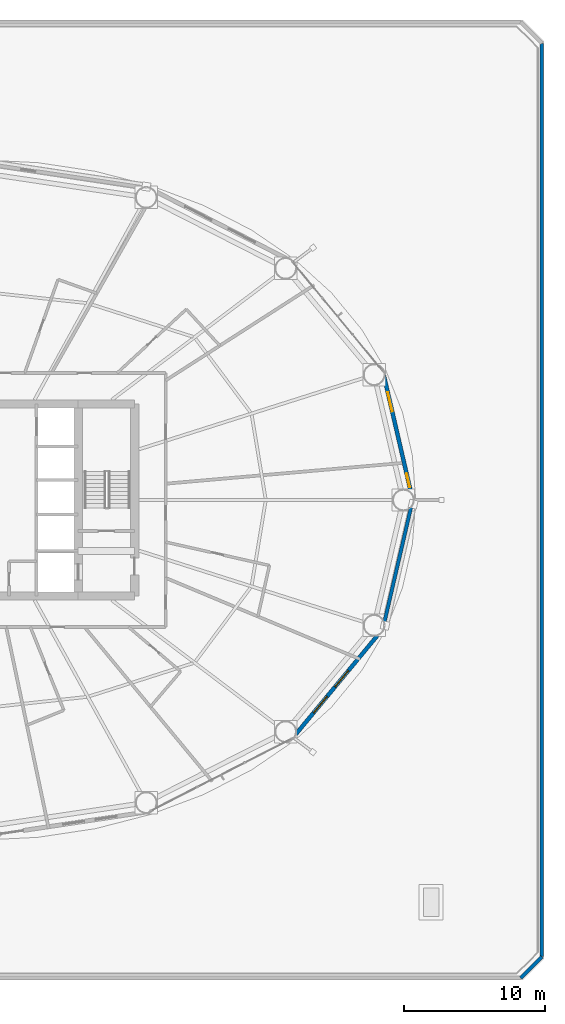
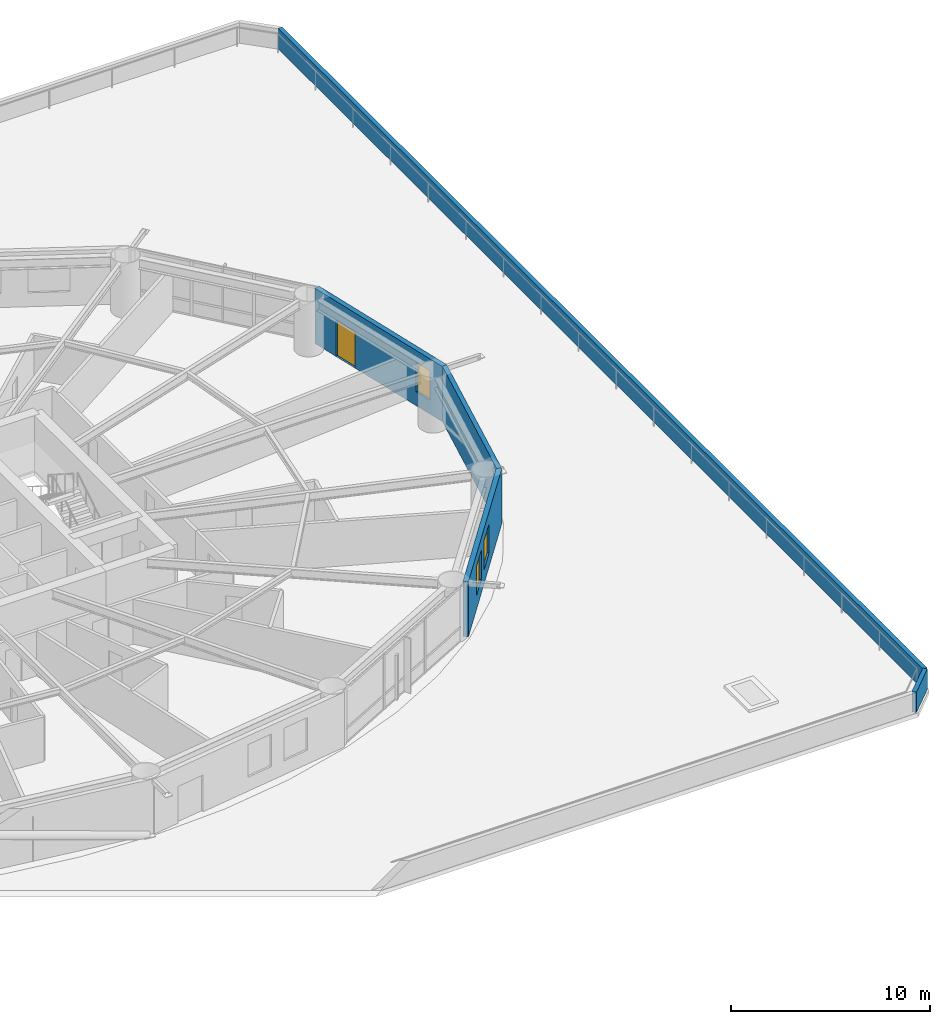
# One storey, part 26 of 30: 5 walls, 3 windows, 1 door, 4 openings.
"""IFC4 building model written with IfcOpenShell, lengths in metres."""

from ifc_helpers import new_model, si_unit, direction, frame, frame_2d, origin, place, context, subcontext, project, spatial, rectangle, extrude, material, layer, layer_set, type_object, element, fill, save


model = new_model("IFC4")

# Units and contexts
model_context = context("Model", 3, precision=1e-05, world=origin(), true_north=direction((0.0, 1.0)))
body_context = subcontext(model_context, "Body", "Model", "MODEL_VIEW")
ifc_project = project(units=[si_unit("LENGTHUNIT", "METRE"), si_unit("AREAUNIT", "SQUARE_METRE"), si_unit("VOLUMEUNIT", "CUBIC_METRE"), si_unit("PLANEANGLEUNIT", "RADIAN"), si_unit("MASSUNIT", "GRAM", prefix="KILO")], contexts=[model_context])

# Site, building, storey
site_placement = place(None, origin())
site = spatial("IfcSite", under=ifc_project, at=site_placement, CompositionType="ELEMENT")
building_placement = place(site_placement, origin())
building = spatial("IfcBuilding", under=site, at=building_placement, Name="Sarneth Arch Tower", CompositionType="ELEMENT")
storey_placement = place(building_placement, frame((0.0, 0.0, 28.199951171875)))
storey = spatial("IfcBuildingStorey", under=building, at=storey_placement, Name="L05", CompositionType="ELEMENT", Elevation=28.199951171875)

# Wall
ifc_material_1 = material(Name="Extruded terracotta rainscreen on Concrete C40/50 backing", Category="masonry")
ifc_layer_1 = layer(ifc_material_1, 0.25)
ifc_layer_set_1 = layer_set([ifc_layer_1], Name="Extruded terracotta rainscreen on Concrete C40/50 backing")
wall_type_1 = type_object("IfcWallType", Name="WALL-EXT-SPAND-250", PredefinedType="SOLIDWALL", material=ifc_layer_set_1)
wall_1_placement = place(storey_placement, frame((76.5810546875, 32.861572265625, 0.0), z_axis=(0.0, 0.0, 1.0), x_axis=(0.225454452941, 0.974253709076, 0.0)))
element("IfcWall", 1, at=wall_1_placement, inside=storey, type_object=wall_type_1, Name="L05 Terracotta perimeter wall 16", PredefinedType="SOLIDWALL", context=body_context, shape_type="SweptSolid", body=[
    extrude(rectangle(XDim=9.3798828125, YDim=0.25, at=frame_2d((4.68994140625, 0.0))), origin(), (0.0, 0.0, 1.0), 3.380126953125),
])

# Wall, openings, door, window
ifc_material_2 = material(Name="Extruded terracotta rainscreen on Concrete C40/50 backing", Category="masonry")
ifc_layer_2 = layer(ifc_material_2, 0.280029296875)
ifc_layer_set_2 = layer_set([ifc_layer_2], Name="Extruded terracotta rainscreen on Concrete C40/50 backing")
wall_type_2 = type_object("IfcWallType", Name="WALL-EXT-TERRA-280", PredefinedType="SOLIDWALL", material=ifc_layer_set_2)
wall_2_placement = place(storey_placement, frame((78.69580078125, 42.0, 0.0), z_axis=(0.0, 0.0, 1.0), x_axis=(-0.225454452941, 0.974253709076, 0.0)))
wall_2 = element("IfcWall", 2, at=wall_2_placement, inside=storey, type_object=wall_type_2, Name="L05 Terracotta perimeter wall 01", PredefinedType="SOLIDWALL", context=body_context, shape_type="SweptSolid", body=[
    extrude(rectangle(XDim=9.3798828125, YDim=0.280029296875, at=frame_2d((4.68994140625, 0.0))), origin(), (0.0, 0.0, 1.0), 3.380126953125),
])
opening_1_placement = place(wall_2_placement, frame((6.435302734375, 0.0, 0.0)))
opening_1 = element("IfcOpeningElement", 3, at=opening_1_placement, cuts=wall_2, Name="Opening BD-2", PredefinedType="OPENING", context=body_context, shape_type="SweptSolid", body=[
    extrude(rectangle(XDim=1.39990234375, YDim=2.199951171875, at=frame_2d((0.699951171875, 1.10009765625))), frame((0.0, 0.14990234375, 0.0), z_axis=(0.0, -1.0, 0.0), x_axis=(1.0, 0.0, 0.0)), (0.0, 0.0, 1.0), 0.300048828125),
])
opening_2_placement = place(wall_2_placement, frame((0.928955078125, 0.0, 0.85009765625)))
opening_2 = element("IfcOpeningElement", 4, at=opening_2_placement, cuts=wall_2, Name="Opening W-11", PredefinedType="OPENING", context=body_context, shape_type="SweptSolid", body=[
    extrude(rectangle(XDim=1.0, YDim=1.800048828125, at=frame_2d((0.5, 0.89990234375))), frame((0.0, 0.14990234375, 0.0), z_axis=(0.0, -1.0, 0.0), x_axis=(1.0, 0.0, 0.0)), (0.0, 0.0, 1.0), 0.300048828125),
])
ifc_material_3 = material(Name="Thermally broken Aluminium 6063-T6 and laminated safety glass", Category="aluminium")
door_type = type_object("IfcDoorType", Name="DR-BALC-GLZ-1400", OperationType="SINGLE_SWING_LEFT", PredefinedType="DOOR", material=ifc_material_3)
door_placement = place(opening_1_placement, origin())
door = element("IfcDoor", 5, at=door_placement, inside=storey, type_object=door_type, Name="L05 Maintenance roof access door 01", OperationType="SINGLE_SWING_LEFT", OverallHeight=2.199951171875, OverallWidth=1.39990234375, PredefinedType="DOOR", context=body_context, shape_type="SweptSolid", body=[
    extrude(rectangle(XDim=1.39990234375, YDim=2.199951171875, at=frame_2d((0.699951171875, 1.10009765625))), frame((0.0, 0.02490234375, 0.0), z_axis=(0.0, -1.0, 0.0), x_axis=(1.0, 0.0, 0.0)), (0.0, 0.0, 1.0), 0.050048828125),
])
fill(opening_1, door)
ifc_material_4 = material(Name="Thermally broken Aluminium 6063-T6 and low-e laminated IGU", Category="aluminium")
window_type_1 = type_object("IfcWindowType", Name="WIN-TWR-1000x1800", PartitioningType="SINGLE_PANEL", PredefinedType="WINDOW", material=ifc_material_4)
window_1_placement = place(opening_2_placement, origin())
window_1 = element("IfcWindow", 6, at=window_1_placement, inside=storey, type_object=window_type_1, Name="L05 Dwelling bedroom window 02", OverallHeight=1.800048828125, OverallWidth=1.0, PartitioningType="SINGLE_PANEL", PredefinedType="WINDOW", context=body_context, shape_type="SweptSolid", body=[
    extrude(rectangle(XDim=1.0, YDim=1.800048828125, at=frame_2d((0.5, 0.89990234375))), frame((0.0, 0.030029296875, 0.0), z_axis=(0.0, -1.0, 0.0), x_axis=(1.0, 0.0, 0.0)), (0.0, 0.0, 1.0), 0.06005859375),
])
fill(opening_2, window_1)

# Wall, openings, windows
wall_3_placement = place(storey_placement, frame((70.174072265625, 25.1142578125, 0.0), z_axis=(0.0, 0.0, 1.0), x_axis=(0.637296809613, 0.770618437657, 0.0)))
wall_3 = element("IfcWall", 7, at=wall_3_placement, inside=storey, type_object=wall_type_2, Name="L05 Terracotta perimeter wall 15", PredefinedType="SOLIDWALL", context=body_context, shape_type="SweptSolid", body=[
    extrude(rectangle(XDim=10.053466796875, YDim=0.280029296875, at=frame_2d((5.02685546875, 0.0))), origin(), (0.0, 0.0, 1.0), 3.380126953125),
])
opening_3_placement = place(wall_3_placement, frame((2.352783203125, 0.0, 0.85009765625)))
opening_3 = element("IfcOpeningElement", 8, at=opening_3_placement, cuts=wall_3, Name="Opening W-07", PredefinedType="OPENING", context=body_context, shape_type="SweptSolid", body=[
    extrude(rectangle(XDim=1.5, YDim=1.800048828125, at=frame_2d((0.75, 0.89990234375))), frame((0.0, 0.14990234375, 0.0), z_axis=(0.0, -1.0, 0.0), x_axis=(1.0, 0.0, 0.0)), (0.0, 0.0, 1.0), 0.300048828125),
])
opening_4_placement = place(wall_3_placement, frame((4.739501953125, 0.0, 0.85009765625)))
opening_4 = element("IfcOpeningElement", 9, at=opening_4_placement, cuts=wall_3, Name="Opening W-07", PredefinedType="OPENING", context=body_context, shape_type="SweptSolid", body=[
    extrude(rectangle(XDim=1.5, YDim=1.800048828125, at=frame_2d((0.75, 0.89990234375))), frame((0.0, 0.14990234375, 0.0), z_axis=(0.0, -1.0, 0.0), x_axis=(1.0, 0.0, 0.0)), (0.0, 0.0, 1.0), 0.300048828125),
])
ifc_material_5 = material(Name="Thermally broken Aluminium 6063-T6 and low-e laminated IGU", Category="aluminium")
window_type_2 = type_object("IfcWindowType", Name="WIN-TWR-1500x1800", PartitioningType="SINGLE_PANEL", PredefinedType="WINDOW", material=ifc_material_5)
window_2_placement = place(opening_3_placement, origin())
window_2 = element("IfcWindow", 10, at=window_2_placement, inside=storey, type_object=window_type_2, Name="L05 Exterior window 15A", OverallHeight=1.800048828125, OverallWidth=1.5, PartitioningType="SINGLE_PANEL", PredefinedType="WINDOW", context=body_context, shape_type="SweptSolid", body=[
    extrude(rectangle(XDim=1.5, YDim=1.800048828125, at=frame_2d((0.75, 0.89990234375))), frame((0.0, 0.030029296875, 0.0), z_axis=(0.0, -1.0, 0.0), x_axis=(1.0, 0.0, 0.0)), (0.0, 0.0, 1.0), 0.06005859375),
])
fill(opening_3, window_2)
window_3_placement = place(opening_4_placement, origin())
window_3 = element("IfcWindow", 11, at=window_3_placement, inside=storey, type_object=window_type_2, Name="L05 Exterior window 15B", OverallHeight=1.800048828125, OverallWidth=1.5, PartitioningType="SINGLE_PANEL", PredefinedType="WINDOW", context=body_context, shape_type="SweptSolid", body=[
    extrude(rectangle(XDim=1.5, YDim=1.800048828125, at=frame_2d((0.75, 0.89990234375))), frame((0.0, 0.030029296875, 0.0), z_axis=(0.0, -1.0, 0.0), x_axis=(1.0, 0.0, 0.0)), (0.0, 0.0, 1.0), 0.06005859375),
])
fill(opening_4, window_3)

# Walls
ifc_material_6 = material(Name="Extruded terracotta rainscreen on Concrete C40/50 backing", Category="masonry")
ifc_layer_3 = layer(ifc_material_6, 0.239990234375)
ifc_layer_set_3 = layer_set([ifc_layer_3], Name="Extruded terracotta rainscreen on Concrete C40/50 backing")
wall_type_3 = type_object("IfcWallType", Name="WALL-PARAPET-240", PredefinedType="PARAPET", material=ifc_layer_set_3)
wall_4_placement = place(storey_placement, frame((86.35009765625, 8.14990234375, 0.0), z_axis=(0.0, 0.0, 1.0), x_axis=(0.707106781187, 0.707106781187, 0.0)))
element("IfcWall", 12, at=wall_4_placement, inside=storey, type_object=wall_type_3, Name="L05 Podium roof parapet 2", PredefinedType="PARAPET", context=body_context, shape_type="SweptSolid", body=[
    extrude(rectangle(XDim=2.121337890625, YDim=0.239990234375, at=frame_2d((1.060546875, 0.0))), origin(), (0.0, 0.0, 1.0), 1.25),
])
wall_5_placement = place(storey_placement, frame((87.85009765625, 9.64990234375, 0.0), z_axis=(0.0, 0.0, 1.0), x_axis=(0.0, 1.0, 0.0)))
element("IfcWall", 13, at=wall_5_placement, inside=storey, type_object=wall_type_3, Name="L05 Podium roof parapet 3", PredefinedType="PARAPET", context=body_context, shape_type="SweptSolid", body=[
    extrude(rectangle(XDim=64.7001953125, YDim=0.239990234375, at=frame_2d((32.35009765625, 0.0))), origin(), (0.0, 0.0, 1.0), 1.25),
])

save(model, "model.ifc")
